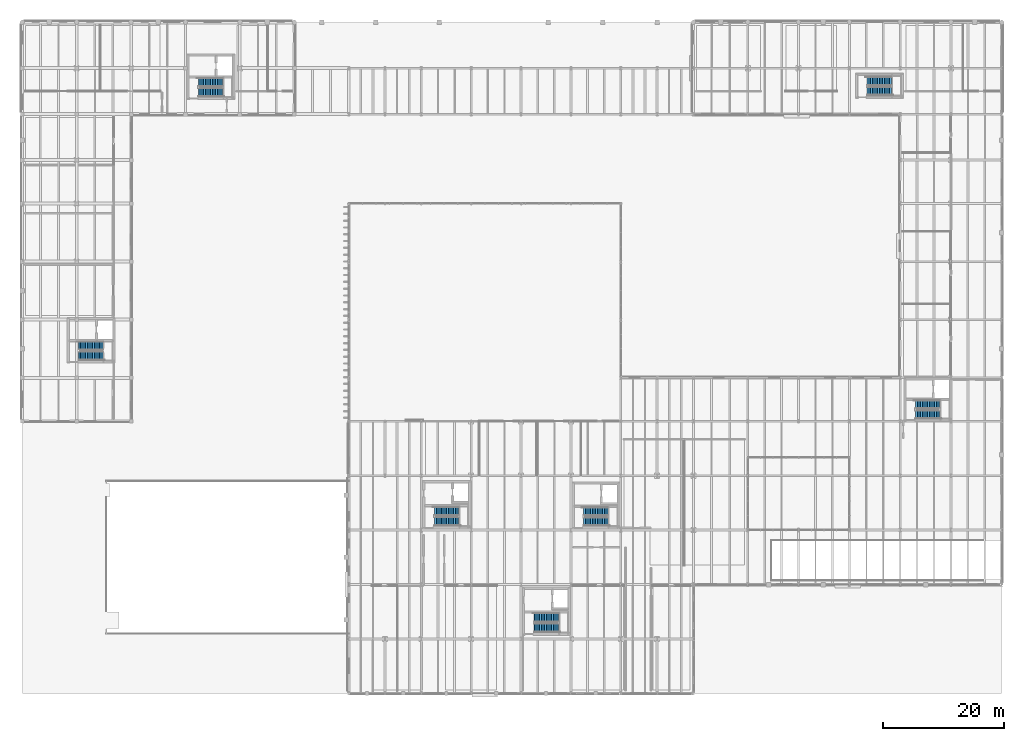
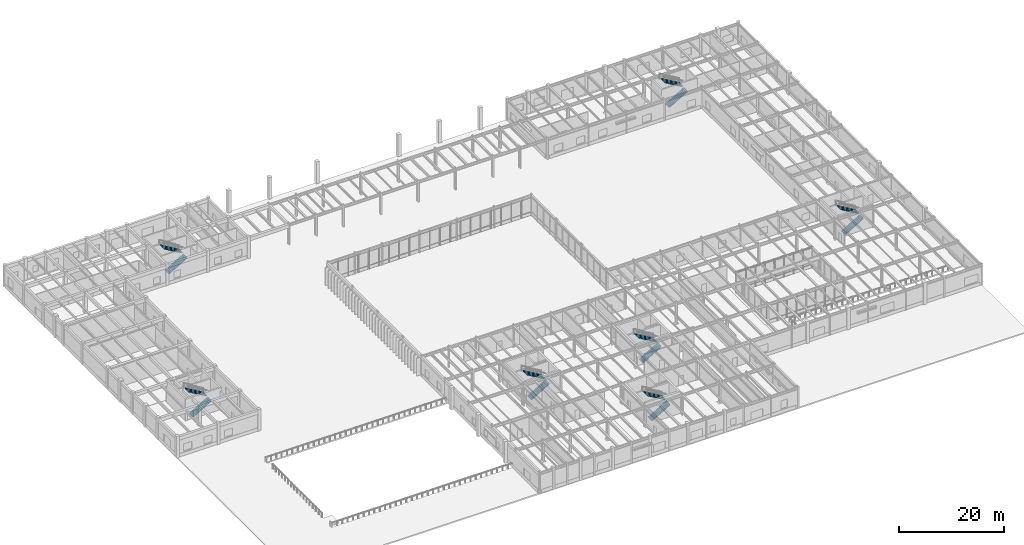
# One storey, part 48 of 64: 14 stair flights, 7 elements without a shape of their own.
"""IFC4 building model written with IfcOpenShell, lengths in metres."""

from ifc_helpers import new_model, si_unit, direction, frame, origin, place, context, subcontext, project, spatial, polyline, outline, extrude, material, type_object, element, aggregate, save


model = new_model("IFC4")

# Units and contexts
model_context = context("Model", 3, precision=1e-05, world=origin(), true_north=direction((0.0, 1.0)))
body_context = subcontext(model_context, "Body", "Model", "MODEL_VIEW")
ifc_project = project(units=[si_unit("LENGTHUNIT", "METRE"), si_unit("AREAUNIT", "SQUARE_METRE"), si_unit("VOLUMEUNIT", "CUBIC_METRE"), si_unit("PLANEANGLEUNIT", "RADIAN"), si_unit("MASSUNIT", "GRAM", prefix="KILO")], contexts=[model_context])

# Site, building, storey
site_placement = place(None, origin())
site = spatial("IfcSite", under=ifc_project, at=site_placement, CompositionType="ELEMENT")
building_placement = place(site_placement, origin())
building = spatial("IfcBuilding", under=site, at=building_placement, Name="Montealbar Specialist Clinic", CompositionType="ELEMENT")
storey_placement = place(building_placement, origin())
storey = spatial("IfcBuildingStorey", under=building, at=storey_placement, Name="L00", CompositionType="ELEMENT", Elevation=0.0)

# Stair, stair flights
ifc_material = material(Name="Concrete C35/45", Category="concrete")
stair_type_1 = type_object("IfcStairType", Name="STAIR-HT-02", PredefinedType="HALF_TURN_STAIR", material=ifc_material)
stair_1_placement = place(storey_placement, origin())
stair_1 = element("IfcStair", 1, at=stair_1_placement, inside=storey, type_object=stair_type_1, Name="L00 Protected Exit Stair Core C1", PredefinedType="HALF_TURN_STAIR")
stair_flight_type_1 = type_object("IfcStairFlightType", Name="FLIGHT-HT-02", PredefinedType="STRAIGHT", material=ifc_material)
stair_flight_1_placement = place(storey_placement, frame((9.35009765625, 55.824951171875, 0.0), z_axis=(0.0, 0.0, 1.0), x_axis=(1.0, 0.0, 0.0)))
stair_flight_1 = element("IfcStairFlight", 2, at=stair_flight_1_placement, type_object=stair_flight_type_1, Name="ST-01 flight 1", NumberOfRisers=15, NumberOfTreads=14, PredefinedType="STRAIGHT", RiserHeight=0.17, TreadLength=0.285, context=body_context, shape_type="SweptSolid", body=[
    extrude(outline(polyline([(-0.02490234375, 0.0), (-0.02490234375, 0.0400390625), (0.0, 0.0400390625), (0.0, 0.169921875), (0.284912109375, 0.169921875), (0.284912109375, 0.340087890625), (0.570068359375, 0.340087890625), (0.570068359375, 0.510009765625), (0.85498046875, 0.510009765625), (0.85498046875, 0.679931640625), (1.139892578125, 0.679931640625), (1.139892578125, 0.85009765625), (1.425048828125, 0.85009765625), (1.425048828125, 1.02001953125), (1.7099609375, 1.02001953125), (1.7099609375, 1.18994140625), (1.9951171875, 1.18994140625), (1.9951171875, 1.360107421875), (2.280029296875, 1.360107421875), (2.280029296875, 1.530029296875), (2.56494140625, 1.530029296875), (2.56494140625, 1.699951171875), (2.85009765625, 1.699951171875), (2.85009765625, 1.8701171875), (3.135009765625, 1.8701171875), (3.135009765625, 2.0400390625), (3.419921875, 2.0400390625), (3.419921875, 2.2099609375), (3.705078125, 2.2099609375), (3.705078125, 2.3798828125), (3.989990234375, 2.3798828125), (3.989990234375, 2.550048828125), (4.014892578125, 2.550048828125), (4.014892578125, 2.20556640625), (3.989990234375, 2.20556640625), (0.292724609375, 0.0), (-0.02490234375, 0.0)])), frame((0.0, 0.72509765625, 0.0), z_axis=(0.0, -1.0, 0.0), x_axis=(1.0, 0.0, 0.0)), (0.0, 0.0, 1.0), 1.449951171875),
])
stair_flight_2_placement = place(storey_placement, frame((13.340087890625, 57.47509765625, 2.550048828125), z_axis=(0.0, 0.0, 1.0), x_axis=(-1.0, 0.0, 0.0)))
stair_flight_2 = element("IfcStairFlight", 3, at=stair_flight_2_placement, type_object=stair_flight_type_1, Name="ST-01 flight 2", NumberOfRisers=15, NumberOfTreads=14, PredefinedType="STRAIGHT", RiserHeight=0.17, TreadLength=0.285, context=body_context, shape_type="SweptSolid", body=[
    extrude(outline(polyline([(-0.02490234375, 0.0), (-0.02490234375, 0.0400390625), (0.0, 0.0400390625), (0.0, 0.169921875), (0.284912109375, 0.169921875), (0.284912109375, 0.340087890625), (0.570068359375, 0.340087890625), (0.570068359375, 0.510009765625), (0.85498046875, 0.510009765625), (0.85498046875, 0.679931640625), (1.139892578125, 0.679931640625), (1.139892578125, 0.85009765625), (1.425048828125, 0.85009765625), (1.425048828125, 1.02001953125), (1.7099609375, 1.02001953125), (1.7099609375, 1.18994140625), (1.9951171875, 1.18994140625), (1.9951171875, 1.360107421875), (2.280029296875, 1.360107421875), (2.280029296875, 1.530029296875), (2.56494140625, 1.530029296875), (2.56494140625, 1.699951171875), (2.85009765625, 1.699951171875), (2.85009765625, 1.8701171875), (3.135009765625, 1.8701171875), (3.135009765625, 2.0400390625), (3.419921875, 2.0400390625), (3.419921875, 2.2099609375), (3.705078125, 2.2099609375), (3.705078125, 2.3798828125), (3.989990234375, 2.3798828125), (3.989990234375, 2.550048828125), (4.014892578125, 2.550048828125), (4.014892578125, 2.20556640625), (3.989990234375, 2.20556640625), (0.292724609375, 0.0), (-0.02490234375, 0.0)])), frame((0.0, 0.72509765625, 0.0), z_axis=(0.0, -1.0, 0.0), x_axis=(1.0, 0.0, 0.0)), (0.0, 0.0, 1.0), 1.449951171875),
])
aggregate(stair_1, [stair_flight_1, stair_flight_2])

stair_2_placement = place(storey_placement, origin())
stair_2 = element("IfcStair", 4, at=stair_2_placement, inside=storey, type_object=stair_type_1, Name="L00 Protected Exit Stair Core C2", PredefinedType="HALF_TURN_STAIR")
stair_flight_3_placement = place(storey_placement, frame((29.14990234375, 99.425048828125, 0.0), z_axis=(0.0, 0.0, 1.0), x_axis=(1.0, 0.0, 0.0)))
stair_flight_3 = element("IfcStairFlight", 5, at=stair_flight_3_placement, type_object=stair_flight_type_1, Name="ST-02 flight 1", NumberOfRisers=15, NumberOfTreads=14, PredefinedType="STRAIGHT", RiserHeight=0.17, TreadLength=0.285, context=body_context, shape_type="SweptSolid", body=[
    extrude(outline(polyline([(-0.02490234375, 0.0), (-0.02490234375, 0.0400390625), (0.0, 0.0400390625), (0.0, 0.169921875), (0.284912109375, 0.169921875), (0.284912109375, 0.340087890625), (0.570068359375, 0.340087890625), (0.570068359375, 0.510009765625), (0.85498046875, 0.510009765625), (0.85498046875, 0.679931640625), (1.139892578125, 0.679931640625), (1.139892578125, 0.85009765625), (1.425048828125, 0.85009765625), (1.425048828125, 1.02001953125), (1.7099609375, 1.02001953125), (1.7099609375, 1.18994140625), (1.9951171875, 1.18994140625), (1.9951171875, 1.360107421875), (2.280029296875, 1.360107421875), (2.280029296875, 1.530029296875), (2.56494140625, 1.530029296875), (2.56494140625, 1.699951171875), (2.85009765625, 1.699951171875), (2.85009765625, 1.8701171875), (3.135009765625, 1.8701171875), (3.135009765625, 2.0400390625), (3.419921875, 2.0400390625), (3.419921875, 2.2099609375), (3.705078125, 2.2099609375), (3.705078125, 2.3798828125), (3.989990234375, 2.3798828125), (3.989990234375, 2.550048828125), (4.014892578125, 2.550048828125), (4.014892578125, 2.20556640625), (3.989990234375, 2.20556640625), (0.292724609375, 0.0), (-0.02490234375, 0.0)])), frame((0.0, 0.72509765625, 0.0), z_axis=(0.0, -1.0, 0.0), x_axis=(1.0, 0.0, 0.0)), (0.0, 0.0, 1.0), 1.449951171875),
])
stair_flight_4_placement = place(storey_placement, frame((33.139892578125, 101.074951171875, 2.550048828125), z_axis=(0.0, 0.0, 1.0), x_axis=(-1.0, 0.0, 0.0)))
stair_flight_4 = element("IfcStairFlight", 6, at=stair_flight_4_placement, type_object=stair_flight_type_1, Name="ST-02 flight 2", NumberOfRisers=15, NumberOfTreads=14, PredefinedType="STRAIGHT", RiserHeight=0.17, TreadLength=0.285, context=body_context, shape_type="SweptSolid", body=[
    extrude(outline(polyline([(-0.02490234375, 0.0), (-0.02490234375, 0.0400390625), (0.0, 0.0400390625), (0.0, 0.169921875), (0.284912109375, 0.169921875), (0.284912109375, 0.340087890625), (0.570068359375, 0.340087890625), (0.570068359375, 0.510009765625), (0.85498046875, 0.510009765625), (0.85498046875, 0.679931640625), (1.139892578125, 0.679931640625), (1.139892578125, 0.85009765625), (1.425048828125, 0.85009765625), (1.425048828125, 1.02001953125), (1.7099609375, 1.02001953125), (1.7099609375, 1.18994140625), (1.9951171875, 1.18994140625), (1.9951171875, 1.360107421875), (2.280029296875, 1.360107421875), (2.280029296875, 1.530029296875), (2.56494140625, 1.530029296875), (2.56494140625, 1.699951171875), (2.85009765625, 1.699951171875), (2.85009765625, 1.8701171875), (3.135009765625, 1.8701171875), (3.135009765625, 2.0400390625), (3.419921875, 2.0400390625), (3.419921875, 2.2099609375), (3.705078125, 2.2099609375), (3.705078125, 2.3798828125), (3.989990234375, 2.3798828125), (3.989990234375, 2.550048828125), (4.014892578125, 2.550048828125), (4.014892578125, 2.20556640625), (3.989990234375, 2.20556640625), (0.292724609375, 0.0), (-0.02490234375, 0.0)])), frame((0.0, 0.72509765625, 0.0), z_axis=(0.0, -1.0, 0.0), x_axis=(1.0, 0.0, 0.0)), (0.0, 0.0, 1.0), 1.449951171875),
])
aggregate(stair_2, [stair_flight_3, stair_flight_4])

stair_3_placement = place(storey_placement, origin())
stair_3 = element("IfcStair", 7, at=stair_3_placement, inside=storey, type_object=stair_type_1, Name="L00 Protected Exit Stair Core C5", PredefinedType="HALF_TURN_STAIR")
stair_flight_5_placement = place(storey_placement, frame((92.85009765625, 28.425048828125, 0.0), z_axis=(0.0, 0.0, 1.0), x_axis=(1.0, 0.0, 0.0)))
stair_flight_5 = element("IfcStairFlight", 8, at=stair_flight_5_placement, type_object=stair_flight_type_1, Name="ST-05 flight 1", NumberOfRisers=15, NumberOfTreads=14, PredefinedType="STRAIGHT", RiserHeight=0.17, TreadLength=0.285, context=body_context, shape_type="SweptSolid", body=[
    extrude(outline(polyline([(-0.02490234375, 0.0), (-0.02490234375, 0.0400390625), (0.0, 0.0400390625), (0.0, 0.169921875), (0.284912109375, 0.169921875), (0.284912109375, 0.340087890625), (0.570068359375, 0.340087890625), (0.570068359375, 0.510009765625), (0.85498046875, 0.510009765625), (0.85498046875, 0.679931640625), (1.139892578125, 0.679931640625), (1.139892578125, 0.85009765625), (1.425048828125, 0.85009765625), (1.425048828125, 1.02001953125), (1.7099609375, 1.02001953125), (1.7099609375, 1.18994140625), (1.9951171875, 1.18994140625), (1.9951171875, 1.360107421875), (2.280029296875, 1.360107421875), (2.280029296875, 1.530029296875), (2.56494140625, 1.530029296875), (2.56494140625, 1.699951171875), (2.85009765625, 1.699951171875), (2.85009765625, 1.8701171875), (3.135009765625, 1.8701171875), (3.135009765625, 2.0400390625), (3.419921875, 2.0400390625), (3.419921875, 2.2099609375), (3.705078125, 2.2099609375), (3.705078125, 2.3798828125), (3.989990234375, 2.3798828125), (3.989990234375, 2.550048828125), (4.014892578125, 2.550048828125), (4.014892578125, 2.20556640625), (3.989990234375, 2.20556640625), (0.292724609375, 0.0), (-0.02490234375, 0.0)])), frame((0.0, 0.72509765625, 0.0), z_axis=(0.0, -1.0, 0.0), x_axis=(1.0, 0.0, 0.0)), (0.0, 0.0, 1.0), 1.449951171875),
])
stair_flight_6_placement = place(storey_placement, frame((96.840087890625, 30.074951171875, 2.550048828125), z_axis=(0.0, 0.0, 1.0), x_axis=(-1.0, 0.0, 0.0)))
stair_flight_6 = element("IfcStairFlight", 9, at=stair_flight_6_placement, type_object=stair_flight_type_1, Name="ST-05 flight 2", NumberOfRisers=15, NumberOfTreads=14, PredefinedType="STRAIGHT", RiserHeight=0.17, TreadLength=0.285, context=body_context, shape_type="SweptSolid", body=[
    extrude(outline(polyline([(-0.02490234375, 0.0), (-0.02490234375, 0.0400390625), (0.0, 0.0400390625), (0.0, 0.169921875), (0.284912109375, 0.169921875), (0.284912109375, 0.340087890625), (0.570068359375, 0.340087890625), (0.570068359375, 0.510009765625), (0.85498046875, 0.510009765625), (0.85498046875, 0.679931640625), (1.139892578125, 0.679931640625), (1.139892578125, 0.85009765625), (1.425048828125, 0.85009765625), (1.425048828125, 1.02001953125), (1.7099609375, 1.02001953125), (1.7099609375, 1.18994140625), (1.9951171875, 1.18994140625), (1.9951171875, 1.360107421875), (2.280029296875, 1.360107421875), (2.280029296875, 1.530029296875), (2.56494140625, 1.530029296875), (2.56494140625, 1.699951171875), (2.85009765625, 1.699951171875), (2.85009765625, 1.8701171875), (3.135009765625, 1.8701171875), (3.135009765625, 2.0400390625), (3.419921875, 2.0400390625), (3.419921875, 2.2099609375), (3.705078125, 2.2099609375), (3.705078125, 2.3798828125), (3.989990234375, 2.3798828125), (3.989990234375, 2.550048828125), (4.014892578125, 2.550048828125), (4.014892578125, 2.20556640625), (3.989990234375, 2.20556640625), (0.292724609375, 0.0), (-0.02490234375, 0.0)])), frame((0.0, 0.72509765625, 0.0), z_axis=(0.0, -1.0, 0.0), x_axis=(1.0, 0.0, 0.0)), (0.0, 0.0, 1.0), 1.449951171875),
])
aggregate(stair_3, [stair_flight_5, stair_flight_6])

stair_4_placement = place(storey_placement, origin())
stair_4 = element("IfcStair", 10, at=stair_4_placement, inside=storey, type_object=stair_type_1, Name="L00 Protected Exit Stair Core C6", PredefinedType="HALF_TURN_STAIR")
stair_flight_7_placement = place(storey_placement, frame((147.75, 46.125, 0.0), z_axis=(0.0, 0.0, 1.0), x_axis=(1.0, 0.0, 0.0)))
stair_flight_7 = element("IfcStairFlight", 11, at=stair_flight_7_placement, type_object=stair_flight_type_1, Name="ST-06 flight 1", NumberOfRisers=15, NumberOfTreads=14, PredefinedType="STRAIGHT", RiserHeight=0.17, TreadLength=0.285, context=body_context, shape_type="SweptSolid", body=[
    extrude(outline(polyline([(-0.02490234375, 0.0), (-0.02490234375, 0.0400390625), (0.0, 0.0400390625), (0.0, 0.169921875), (0.284912109375, 0.169921875), (0.284912109375, 0.340087890625), (0.570068359375, 0.340087890625), (0.570068359375, 0.510009765625), (0.85498046875, 0.510009765625), (0.85498046875, 0.679931640625), (1.139892578125, 0.679931640625), (1.139892578125, 0.85009765625), (1.425048828125, 0.85009765625), (1.425048828125, 1.02001953125), (1.7099609375, 1.02001953125), (1.7099609375, 1.18994140625), (1.9951171875, 1.18994140625), (1.9951171875, 1.360107421875), (2.280029296875, 1.360107421875), (2.280029296875, 1.530029296875), (2.56494140625, 1.530029296875), (2.56494140625, 1.699951171875), (2.85009765625, 1.699951171875), (2.85009765625, 1.8701171875), (3.135009765625, 1.8701171875), (3.135009765625, 2.0400390625), (3.419921875, 2.0400390625), (3.419921875, 2.2099609375), (3.705078125, 2.2099609375), (3.705078125, 2.3798828125), (3.989990234375, 2.3798828125), (3.989990234375, 2.550048828125), (4.014892578125, 2.550048828125), (4.014892578125, 2.20556640625), (3.989990234375, 2.20556640625), (0.292724609375, 0.0), (-0.02490234375, 0.0)])), frame((0.0, 0.72509765625, 0.0), z_axis=(0.0, -1.0, 0.0), x_axis=(1.0, 0.0, 0.0)), (0.0, 0.0, 1.0), 1.449951171875),
])
stair_flight_8_placement = place(storey_placement, frame((151.739990234375, 47.77490234375, 2.550048828125), z_axis=(0.0, 0.0, 1.0), x_axis=(-1.0, 0.0, 0.0)))
stair_flight_8 = element("IfcStairFlight", 12, at=stair_flight_8_placement, type_object=stair_flight_type_1, Name="ST-06 flight 2", NumberOfRisers=15, NumberOfTreads=14, PredefinedType="STRAIGHT", RiserHeight=0.17, TreadLength=0.285, context=body_context, shape_type="SweptSolid", body=[
    extrude(outline(polyline([(-0.02490234375, 0.0), (-0.02490234375, 0.0400390625), (0.0, 0.0400390625), (0.0, 0.169921875), (0.284912109375, 0.169921875), (0.284912109375, 0.340087890625), (0.570068359375, 0.340087890625), (0.570068359375, 0.510009765625), (0.85498046875, 0.510009765625), (0.85498046875, 0.679931640625), (1.139892578125, 0.679931640625), (1.139892578125, 0.85009765625), (1.425048828125, 0.85009765625), (1.425048828125, 1.02001953125), (1.7099609375, 1.02001953125), (1.7099609375, 1.18994140625), (1.9951171875, 1.18994140625), (1.9951171875, 1.360107421875), (2.280029296875, 1.360107421875), (2.280029296875, 1.530029296875), (2.56494140625, 1.530029296875), (2.56494140625, 1.699951171875), (2.85009765625, 1.699951171875), (2.85009765625, 1.8701171875), (3.135009765625, 1.8701171875), (3.135009765625, 2.0400390625), (3.419921875, 2.0400390625), (3.419921875, 2.2099609375), (3.705078125, 2.2099609375), (3.705078125, 2.3798828125), (3.989990234375, 2.3798828125), (3.989990234375, 2.550048828125), (4.014892578125, 2.550048828125), (4.014892578125, 2.20556640625), (3.989990234375, 2.20556640625), (0.292724609375, 0.0), (-0.02490234375, 0.0)])), frame((0.0, 0.72509765625, 0.0), z_axis=(0.0, -1.0, 0.0), x_axis=(1.0, 0.0, 0.0)), (0.0, 0.0, 1.0), 1.449951171875),
])
aggregate(stair_4, [stair_flight_7, stair_flight_8])

stair_5_placement = place(storey_placement, origin())
stair_5 = element("IfcStair", 13, at=stair_5_placement, inside=storey, type_object=stair_type_1, Name="L00 Protected Exit Stair Core C7", PredefinedType="HALF_TURN_STAIR")
stair_flight_9_placement = place(storey_placement, frame((139.75, 99.625, 0.0), z_axis=(0.0, 0.0, 1.0), x_axis=(1.0, 0.0, 0.0)))
stair_flight_9 = element("IfcStairFlight", 14, at=stair_flight_9_placement, type_object=stair_flight_type_1, Name="ST-07 flight 1", NumberOfRisers=15, NumberOfTreads=14, PredefinedType="STRAIGHT", RiserHeight=0.17, TreadLength=0.285, context=body_context, shape_type="SweptSolid", body=[
    extrude(outline(polyline([(-0.02490234375, 0.0), (-0.02490234375, 0.0400390625), (0.0, 0.0400390625), (0.0, 0.169921875), (0.284912109375, 0.169921875), (0.284912109375, 0.340087890625), (0.570068359375, 0.340087890625), (0.570068359375, 0.510009765625), (0.85498046875, 0.510009765625), (0.85498046875, 0.679931640625), (1.139892578125, 0.679931640625), (1.139892578125, 0.85009765625), (1.425048828125, 0.85009765625), (1.425048828125, 1.02001953125), (1.7099609375, 1.02001953125), (1.7099609375, 1.18994140625), (1.9951171875, 1.18994140625), (1.9951171875, 1.360107421875), (2.280029296875, 1.360107421875), (2.280029296875, 1.530029296875), (2.56494140625, 1.530029296875), (2.56494140625, 1.699951171875), (2.85009765625, 1.699951171875), (2.85009765625, 1.8701171875), (3.135009765625, 1.8701171875), (3.135009765625, 2.0400390625), (3.419921875, 2.0400390625), (3.419921875, 2.2099609375), (3.705078125, 2.2099609375), (3.705078125, 2.3798828125), (3.989990234375, 2.3798828125), (3.989990234375, 2.550048828125), (4.014892578125, 2.550048828125), (4.014892578125, 2.20556640625), (3.989990234375, 2.20556640625), (0.292724609375, 0.0), (-0.02490234375, 0.0)])), frame((0.0, 0.72509765625, 0.0), z_axis=(0.0, -1.0, 0.0), x_axis=(1.0, 0.0, 0.0)), (0.0, 0.0, 1.0), 1.449951171875),
])
stair_flight_10_placement = place(storey_placement, frame((143.739990234375, 101.27490234375, 2.550048828125), z_axis=(0.0, 0.0, 1.0), x_axis=(-1.0, 0.0, 0.0)))
stair_flight_10 = element("IfcStairFlight", 15, at=stair_flight_10_placement, type_object=stair_flight_type_1, Name="ST-07 flight 2", NumberOfRisers=15, NumberOfTreads=14, PredefinedType="STRAIGHT", RiserHeight=0.17, TreadLength=0.285, context=body_context, shape_type="SweptSolid", body=[
    extrude(outline(polyline([(-0.02490234375, 0.0), (-0.02490234375, 0.0400390625), (0.0, 0.0400390625), (0.0, 0.169921875), (0.284912109375, 0.169921875), (0.284912109375, 0.340087890625), (0.570068359375, 0.340087890625), (0.570068359375, 0.510009765625), (0.85498046875, 0.510009765625), (0.85498046875, 0.679931640625), (1.139892578125, 0.679931640625), (1.139892578125, 0.85009765625), (1.425048828125, 0.85009765625), (1.425048828125, 1.02001953125), (1.7099609375, 1.02001953125), (1.7099609375, 1.18994140625), (1.9951171875, 1.18994140625), (1.9951171875, 1.360107421875), (2.280029296875, 1.360107421875), (2.280029296875, 1.530029296875), (2.56494140625, 1.530029296875), (2.56494140625, 1.699951171875), (2.85009765625, 1.699951171875), (2.85009765625, 1.8701171875), (3.135009765625, 1.8701171875), (3.135009765625, 2.0400390625), (3.419921875, 2.0400390625), (3.419921875, 2.2099609375), (3.705078125, 2.2099609375), (3.705078125, 2.3798828125), (3.989990234375, 2.3798828125), (3.989990234375, 2.550048828125), (4.014892578125, 2.550048828125), (4.014892578125, 2.20556640625), (3.989990234375, 2.20556640625), (0.292724609375, 0.0), (-0.02490234375, 0.0)])), frame((0.0, 0.72509765625, 0.0), z_axis=(0.0, -1.0, 0.0), x_axis=(1.0, 0.0, 0.0)), (0.0, 0.0, 1.0), 1.449951171875),
])
aggregate(stair_5, [stair_flight_9, stair_flight_10])

stair_type_2 = type_object("IfcStairType", Name="STAIR-HT-05", PredefinedType="HALF_TURN_STAIR", material=ifc_material)
stair_6_placement = place(storey_placement, origin())
stair_6 = element("IfcStair", 16, at=stair_6_placement, inside=storey, type_object=stair_type_2, Name="L00 Protected Exit Stair Core C3", PredefinedType="HALF_TURN_STAIR")
stair_flight_type_2 = type_object("IfcStairFlightType", Name="FLIGHT-HT-05", PredefinedType="STRAIGHT", material=ifc_material)
stair_flight_11_placement = place(storey_placement, frame((68.199951171875, 28.449951171875, 0.0), z_axis=(0.0, 0.0, 1.0), x_axis=(1.0, 0.0, 0.0)))
stair_flight_11 = element("IfcStairFlight", 17, at=stair_flight_11_placement, type_object=stair_flight_type_2, Name="ST-03 flight 1", NumberOfRisers=15, NumberOfTreads=14, PredefinedType="STRAIGHT", RiserHeight=0.17, TreadLength=0.285, context=body_context, shape_type="SweptSolid", body=[
    extrude(outline(polyline([(-0.02490234375, 0.0), (-0.02490234375, 0.0400390625), (0.0, 0.0400390625), (0.0, 0.169921875), (0.284912109375, 0.169921875), (0.284912109375, 0.340087890625), (0.570068359375, 0.340087890625), (0.570068359375, 0.510009765625), (0.85498046875, 0.510009765625), (0.85498046875, 0.679931640625), (1.139892578125, 0.679931640625), (1.139892578125, 0.85009765625), (1.425048828125, 0.85009765625), (1.425048828125, 1.02001953125), (1.7099609375, 1.02001953125), (1.7099609375, 1.18994140625), (1.9951171875, 1.18994140625), (1.9951171875, 1.360107421875), (2.280029296875, 1.360107421875), (2.280029296875, 1.530029296875), (2.56494140625, 1.530029296875), (2.56494140625, 1.699951171875), (2.85009765625, 1.699951171875), (2.85009765625, 1.8701171875), (3.135009765625, 1.8701171875), (3.135009765625, 2.0400390625), (3.419921875, 2.0400390625), (3.419921875, 2.2099609375), (3.705078125, 2.2099609375), (3.705078125, 2.3798828125), (3.989990234375, 2.3798828125), (3.989990234375, 2.550048828125), (4.014892578125, 2.550048828125), (4.014892578125, 2.20556640625), (3.989990234375, 2.20556640625), (0.292724609375, 0.0), (-0.02490234375, 0.0)])), frame((0.0, 0.75, 0.0), z_axis=(0.0, -1.0, 0.0), x_axis=(1.0, 0.0, 0.0)), (0.0, 0.0, 1.0), 1.5),
])
stair_flight_12_placement = place(storey_placement, frame((72.18994140625, 30.14990234375, 2.550048828125), z_axis=(0.0, 0.0, 1.0), x_axis=(-1.0, 0.0, 0.0)))
stair_flight_12 = element("IfcStairFlight", 18, at=stair_flight_12_placement, type_object=stair_flight_type_2, Name="ST-03 flight 2", NumberOfRisers=15, NumberOfTreads=14, PredefinedType="STRAIGHT", RiserHeight=0.17, TreadLength=0.285, context=body_context, shape_type="SweptSolid", body=[
    extrude(outline(polyline([(-0.02490234375, 0.0), (-0.02490234375, 0.0400390625), (0.0, 0.0400390625), (0.0, 0.169921875), (0.284912109375, 0.169921875), (0.284912109375, 0.340087890625), (0.570068359375, 0.340087890625), (0.570068359375, 0.510009765625), (0.85498046875, 0.510009765625), (0.85498046875, 0.679931640625), (1.139892578125, 0.679931640625), (1.139892578125, 0.85009765625), (1.425048828125, 0.85009765625), (1.425048828125, 1.02001953125), (1.7099609375, 1.02001953125), (1.7099609375, 1.18994140625), (1.9951171875, 1.18994140625), (1.9951171875, 1.360107421875), (2.280029296875, 1.360107421875), (2.280029296875, 1.530029296875), (2.56494140625, 1.530029296875), (2.56494140625, 1.699951171875), (2.85009765625, 1.699951171875), (2.85009765625, 1.8701171875), (3.135009765625, 1.8701171875), (3.135009765625, 2.0400390625), (3.419921875, 2.0400390625), (3.419921875, 2.2099609375), (3.705078125, 2.2099609375), (3.705078125, 2.3798828125), (3.989990234375, 2.3798828125), (3.989990234375, 2.550048828125), (4.014892578125, 2.550048828125), (4.014892578125, 2.20556640625), (3.989990234375, 2.20556640625), (0.292724609375, 0.0), (-0.02490234375, 0.0)])), frame((0.0, 0.75, 0.0), z_axis=(0.0, -1.0, 0.0), x_axis=(1.0, 0.0, 0.0)), (0.0, 0.0, 1.0), 1.5),
])
aggregate(stair_6, [stair_flight_11, stair_flight_12])

stair_7_placement = place(storey_placement, origin())
stair_7 = element("IfcStair", 19, at=stair_7_placement, inside=storey, type_object=stair_type_2, Name="L00 Protected Exit Stair Core C4", PredefinedType="HALF_TURN_STAIR")
stair_flight_13_placement = place(storey_placement, frame((84.699951171875, 10.85009765625, 0.0), z_axis=(0.0, 0.0, 1.0), x_axis=(1.0, 0.0, 0.0)))
stair_flight_13 = element("IfcStairFlight", 20, at=stair_flight_13_placement, type_object=stair_flight_type_2, Name="ST-04 flight 1", NumberOfRisers=15, NumberOfTreads=14, PredefinedType="STRAIGHT", RiserHeight=0.17, TreadLength=0.285, context=body_context, shape_type="SweptSolid", body=[
    extrude(outline(polyline([(-0.02490234375, 0.0), (-0.02490234375, 0.0400390625), (0.0, 0.0400390625), (0.0, 0.169921875), (0.284912109375, 0.169921875), (0.284912109375, 0.340087890625), (0.570068359375, 0.340087890625), (0.570068359375, 0.510009765625), (0.85498046875, 0.510009765625), (0.85498046875, 0.679931640625), (1.139892578125, 0.679931640625), (1.139892578125, 0.85009765625), (1.425048828125, 0.85009765625), (1.425048828125, 1.02001953125), (1.7099609375, 1.02001953125), (1.7099609375, 1.18994140625), (1.9951171875, 1.18994140625), (1.9951171875, 1.360107421875), (2.280029296875, 1.360107421875), (2.280029296875, 1.530029296875), (2.56494140625, 1.530029296875), (2.56494140625, 1.699951171875), (2.85009765625, 1.699951171875), (2.85009765625, 1.8701171875), (3.135009765625, 1.8701171875), (3.135009765625, 2.0400390625), (3.419921875, 2.0400390625), (3.419921875, 2.2099609375), (3.705078125, 2.2099609375), (3.705078125, 2.3798828125), (3.989990234375, 2.3798828125), (3.989990234375, 2.550048828125), (4.014892578125, 2.550048828125), (4.014892578125, 2.20556640625), (3.989990234375, 2.20556640625), (0.292724609375, 0.0), (-0.02490234375, 0.0)])), frame((0.0, 0.75, 0.0), z_axis=(0.0, -1.0, 0.0), x_axis=(1.0, 0.0, 0.0)), (0.0, 0.0, 1.0), 1.5),
])
stair_flight_14_placement = place(storey_placement, frame((88.68994140625, 12.550048828125, 2.550048828125), z_axis=(0.0, 0.0, 1.0), x_axis=(-1.0, 0.0, 0.0)))
stair_flight_14 = element("IfcStairFlight", 21, at=stair_flight_14_placement, type_object=stair_flight_type_2, Name="ST-04 flight 2", NumberOfRisers=15, NumberOfTreads=14, PredefinedType="STRAIGHT", RiserHeight=0.17, TreadLength=0.285, context=body_context, shape_type="SweptSolid", body=[
    extrude(outline(polyline([(-0.02490234375, 0.0), (-0.02490234375, 0.0400390625), (0.0, 0.0400390625), (0.0, 0.169921875), (0.284912109375, 0.169921875), (0.284912109375, 0.340087890625), (0.570068359375, 0.340087890625), (0.570068359375, 0.510009765625), (0.85498046875, 0.510009765625), (0.85498046875, 0.679931640625), (1.139892578125, 0.679931640625), (1.139892578125, 0.85009765625), (1.425048828125, 0.85009765625), (1.425048828125, 1.02001953125), (1.7099609375, 1.02001953125), (1.7099609375, 1.18994140625), (1.9951171875, 1.18994140625), (1.9951171875, 1.360107421875), (2.280029296875, 1.360107421875), (2.280029296875, 1.530029296875), (2.56494140625, 1.530029296875), (2.56494140625, 1.699951171875), (2.85009765625, 1.699951171875), (2.85009765625, 1.8701171875), (3.135009765625, 1.8701171875), (3.135009765625, 2.0400390625), (3.419921875, 2.0400390625), (3.419921875, 2.2099609375), (3.705078125, 2.2099609375), (3.705078125, 2.3798828125), (3.989990234375, 2.3798828125), (3.989990234375, 2.550048828125), (4.014892578125, 2.550048828125), (4.014892578125, 2.20556640625), (3.989990234375, 2.20556640625), (0.292724609375, 0.0), (-0.02490234375, 0.0)])), frame((0.0, 0.75, 0.0), z_axis=(0.0, -1.0, 0.0), x_axis=(1.0, 0.0, 0.0)), (0.0, 0.0, 1.0), 1.5),
])
aggregate(stair_7, [stair_flight_13, stair_flight_14])

save(model, "model.ifc")
